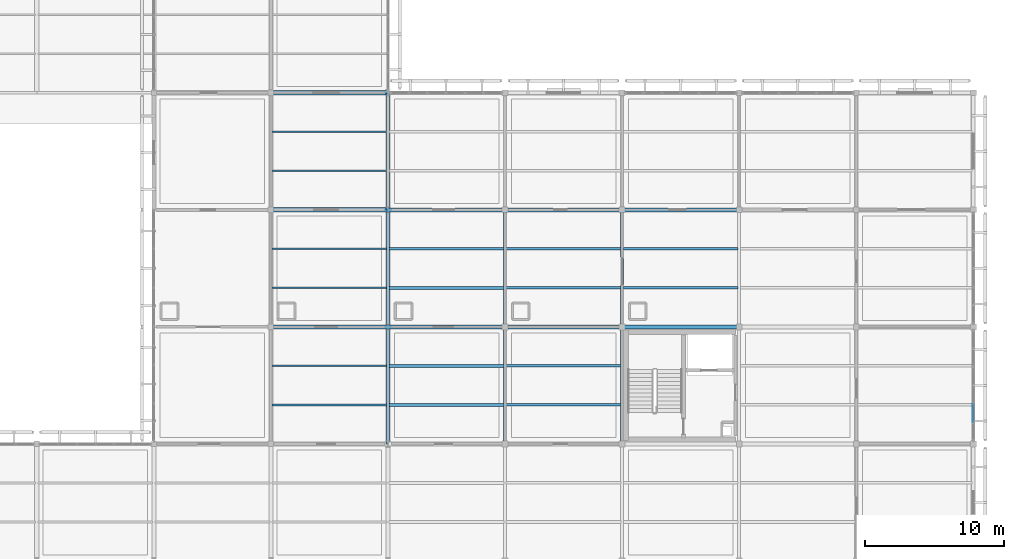
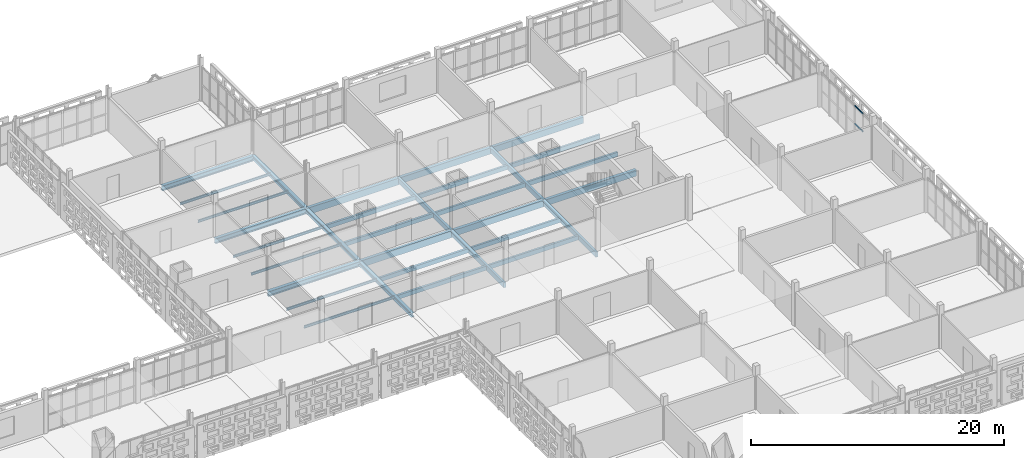
# One storey, part 71 of 166: 32 beams, 2 members, 1 element without a shape of its own.
"""IFC4 building model written with IfcOpenShell, lengths in metres."""

from ifc_helpers import new_model, si_unit, direction, frame, origin, origin_2d, place, context, subcontext, project, spatial, rectangle, i_section, extrude, material, layer, layer_set, material_profile, profile_set, type_object, element, aggregate, save


model = new_model("IFC4")

# Units and contexts
model_context = context("Model", 3, precision=1e-05, world=origin(), true_north=direction((0.0, 1.0)))
body_context = subcontext(model_context, "Body", "Model", "MODEL_VIEW")
ifc_project = project(units=[si_unit("LENGTHUNIT", "METRE"), si_unit("AREAUNIT", "SQUARE_METRE"), si_unit("VOLUMEUNIT", "CUBIC_METRE"), si_unit("PLANEANGLEUNIT", "RADIAN"), si_unit("MASSUNIT", "GRAM", prefix="KILO")], contexts=[model_context])

# Site, building, storey
site_placement = place(None, origin())
site = spatial("IfcSite", under=ifc_project, at=site_placement, CompositionType="ELEMENT")
building_placement = place(site_placement, origin())
building = spatial("IfcBuilding", under=site, at=building_placement, Name="Varnapada Polytechnic", CompositionType="ELEMENT")
storey_placement = place(building_placement, frame((0.0, 0.0, 9.60009765625)))
storey = spatial("IfcBuildingStorey", under=building, at=storey_placement, Name="L02", CompositionType="ELEMENT", Elevation=9.60009765625)

# Beams
ifc_material_1 = material(Name="Glulam GL32h", Category="wood")
ifc_material_profile_1 = material_profile(ifc_material_1, rectangle(XDim=0.280029296875, YDim=0.639892578125, at=origin_2d()), Name="GL 280x640")
ifc_profile_set_1 = profile_set([ifc_material_profile_1], Name="Glulam GL32h")
beam_type_1 = type_object("IfcBeamType", Name="Laboratory primary glulam girder GG-02 (GL 280x640)", PredefinedType="BEAM", material=ifc_profile_set_1)
for number, where, z_axis, x_axis, name in (
    (1, (134.39990234375, 100.800048828125, -0.570068359375), (1.0, 0.0, 0.0), (0.0, 1.0, 0.0), "L02 beam X 17-18 at Y13"),
    (2, (134.39990234375, 109.199951171875, -0.570068359375), (1.0, 0.0, 0.0), (0.0, 1.0, 0.0), "L02 beam X 17-18 at Y14"),
):
    element("IfcBeam", number, at=place(storey_placement, frame(where, z_axis=z_axis, x_axis=x_axis)), inside=storey, type_object=beam_type_1, Name=name, PredefinedType="BEAM", context=body_context, shape_type="SweptSolid", body=[
        extrude(rectangle(XDim=0.280029296875, YDim=0.639892578125, at=origin_2d()), origin(), (0.0, 0.0, 1.0), 8.400146484375),
    ])
ifc_material_profile_2 = material_profile(ifc_material_1, rectangle(XDim=0.199951171875, YDim=0.39990234375, at=origin_2d()), Name="GL 200x400")
ifc_profile_set_2 = profile_set([ifc_material_profile_2], Name="Glulam GL32h")
beam_type_2 = type_object("IfcBeamType", Name="Library/laboratory glulam floor joist GJ-01 (GL 200x400)", PredefinedType="JOIST", material=ifc_profile_set_2)
for number, where, z_axis, x_axis, name in (
    (3, (134.47998046875, 95.199951171875, -0.4501953125), (1.0, 0.0, 0.0), (0.0, 1.0, 0.0), "L02 floor joist 17/12.1"),
    (4, (134.47998046875, 98.0, -0.4501953125), (1.0, 0.0, 0.0), (0.0, 1.0, 0.0), "L02 floor joist 17/12.2"),
    (5, (134.47998046875, 103.60009765625, -0.4501953125), (1.0, 0.0, 0.0), (0.0, 1.0, 0.0), "L02 floor joist 17/13.1"),
    (6, (134.47998046875, 106.39990234375, -0.4501953125), (1.0, 0.0, 0.0), (0.0, 1.0, 0.0), "L02 floor joist 17/13.2"),
):
    element("IfcBeam", number, at=place(storey_placement, frame(where, z_axis=z_axis, x_axis=x_axis)), inside=storey, type_object=beam_type_2, Name=name, PredefinedType="JOIST", context=body_context, shape_type="SweptSolid", body=[
        extrude(rectangle(XDim=0.199951171875, YDim=0.39990234375, at=origin_2d()), origin(), (0.0, 0.0, 1.0), 8.239990234375),
    ])
ifc_material_profile_3 = material_profile(ifc_material_1, rectangle(XDim=0.280029296875, YDim=0.60009765625, at=origin_2d()), Name="GL 280x600")
ifc_profile_set_3 = profile_set([ifc_material_profile_3], Name="Glulam GL32h")
beam_type_3 = type_object("IfcBeamType", Name="Reading hall glulam girder GG-08 (GL 280x600)", PredefinedType="BEAM", material=ifc_profile_set_3)
for number, where, z_axis, x_axis, name in (
    (7, (142.800048828125, 100.800048828125, -0.550048828125), (1.0, 0.0, 0.0), (0.0, 1.0, 0.0), "L02 beam X 18-19 at Y13"),
    (8, (142.800048828125, 109.199951171875, -0.550048828125), (1.0, 0.0, 0.0), (0.0, 1.0, 0.0), "L02 beam X 18-19 at Y14"),
):
    element("IfcBeam", number, at=place(storey_placement, frame(where, z_axis=z_axis, x_axis=x_axis)), inside=storey, type_object=beam_type_3, Name=name, PredefinedType="BEAM", context=body_context, shape_type="SweptSolid", body=[
        extrude(rectangle(XDim=0.280029296875, YDim=0.60009765625, at=origin_2d()), origin(), (0.0, 0.0, 1.0), 8.39990234375),
    ])
for number, where, z_axis, x_axis, name in (
    (9, (151.199951171875, 100.800048828125, -0.550048828125), (1.0, 0.0, 0.0), (0.0, 1.0, 0.0), "L02 beam X 19-20 at Y13"),
    (10, (151.199951171875, 109.199951171875, -0.550048828125), (1.0, 0.0, 0.0), (0.0, 1.0, 0.0), "L02 beam X 19-20 at Y14"),
):
    element("IfcBeam", number, at=place(storey_placement, frame(where, z_axis=z_axis, x_axis=x_axis)), inside=storey, type_object=beam_type_3, Name=name, PredefinedType="BEAM", context=body_context, shape_type="SweptSolid", body=[
        extrude(rectangle(XDim=0.280029296875, YDim=0.60009765625, at=origin_2d()), origin(), (0.0, 0.0, 1.0), 8.400146484375),
    ])
ifc_material_profile_4 = material_profile(ifc_material_1, rectangle(XDim=0.179931640625, YDim=0.419921875, at=origin_2d()), Name="GL 180x420")
ifc_profile_set_4 = profile_set([ifc_material_profile_4], Name="Glulam GL32h")
beam_type_4 = type_object("IfcBeamType", Name="Reading hall glulam joist GJ-04 (GL 180x420)", PredefinedType="JOIST", material=ifc_profile_set_4)
for number, where, z_axis, x_axis, name in (
    (11, (142.8798828125, 95.199951171875, -0.460205078125), (1.0, 0.0, 0.0), (0.0, 1.0, 0.0), "L02 floor joist 18/12.1"),
    (12, (142.8798828125, 98.0, -0.460205078125), (1.0, 0.0, 0.0), (0.0, 1.0, 0.0), "L02 floor joist 18/12.2"),
    (13, (142.8798828125, 103.60009765625, -0.460205078125), (1.0, 0.0, 0.0), (0.0, 1.0, 0.0), "L02 floor joist 18/13.1"),
    (14, (142.8798828125, 106.39990234375, -0.460205078125), (1.0, 0.0, 0.0), (0.0, 1.0, 0.0), "L02 floor joist 18/13.2"),
):
    element("IfcBeam", number, at=place(storey_placement, frame(where, z_axis=z_axis, x_axis=x_axis)), inside=storey, type_object=beam_type_4, Name=name, PredefinedType="JOIST", context=body_context, shape_type="SweptSolid", body=[
        extrude(rectangle(XDim=0.179931640625, YDim=0.419921875, at=origin_2d()), origin(), (0.0, 0.0, 1.0), 8.240234375),
    ])
for number, where, z_axis, x_axis, name in (
    (15, (151.280029296875, 103.60009765625, -0.460205078125), (1.0, 0.0, 0.0), (0.0, 1.0, 0.0), "L02 floor joist 19/13.1"),
    (16, (151.280029296875, 106.39990234375, -0.460205078125), (1.0, 0.0, 0.0), (0.0, 1.0, 0.0), "L02 floor joist 19/13.2"),
):
    element("IfcBeam", number, at=place(storey_placement, frame(where, z_axis=z_axis, x_axis=x_axis)), inside=storey, type_object=beam_type_4, Name=name, PredefinedType="JOIST", context=body_context, shape_type="SweptSolid", body=[
        extrude(rectangle(XDim=0.179931640625, YDim=0.419921875, at=origin_2d()), origin(), (0.0, 0.0, 1.0), 8.239990234375),
    ])
ifc_material_2 = material(Name="Steel S355", Category="steel")
ifc_material_profile_5 = material_profile(ifc_material_2, i_section(OverallWidth=0.300048828125, OverallDepth=0.389892578125, WebThickness=0.010986328125, FlangeThickness=0.01904296875, FilletRadius=0.027099609375, at=origin_2d()), Name="HEA 400")
ifc_profile_set_5 = profile_set([ifc_material_profile_5], Name="Steel S355")
beam_type_5 = type_object("IfcBeamType", Name="Steel roof primary girder SG-01 (HEA 400)", PredefinedType="BEAM", material=ifc_profile_set_5)
beam_1_placement = place(storey_placement, frame((134.39990234375, 92.39990234375, -0.445068359375), z_axis=(0.0, 1.0, 0.0), x_axis=(-1.0, 0.0, 0.0)))
element("IfcBeam", 17, at=beam_1_placement, inside=storey, type_object=beam_type_5, Name="L02 beam Y 12-13 at X17", PredefinedType="BEAM", context=body_context, shape_type="SweptSolid", body=[
    extrude(i_section(OverallWidth=0.300048828125, OverallDepth=0.389892578125, WebThickness=0.010986328125, FlangeThickness=0.01904296875, FilletRadius=0.027099609375, at=origin_2d()), origin(), (0.0, 0.0, 1.0), 8.400146484375),
])
beam_2_placement = place(storey_placement, frame((134.39990234375, 100.800048828125, -0.445068359375), z_axis=(0.0, 1.0, 0.0), x_axis=(-1.0, 0.0, 0.0)))
element("IfcBeam", 18, at=beam_2_placement, inside=storey, type_object=beam_type_5, Name="L02 beam Y 13-14 at X17", PredefinedType="BEAM", context=body_context, shape_type="SweptSolid", body=[
    extrude(i_section(OverallWidth=0.300048828125, OverallDepth=0.389892578125, WebThickness=0.010986328125, FlangeThickness=0.01904296875, FilletRadius=0.027099609375, at=origin_2d()), origin(), (0.0, 0.0, 1.0), 8.39990234375),
])
beam_3_placement = place(storey_placement, frame((134.39990234375, 109.199951171875, -0.445068359375), z_axis=(0.0, 1.0, 0.0), x_axis=(-1.0, 0.0, 0.0)))
element("IfcBeam", 19, at=beam_3_placement, inside=storey, type_object=beam_type_5, Name="L02 beam Y 14-15 at X17", PredefinedType="BEAM", context=body_context, shape_type="SweptSolid", body=[
    extrude(i_section(OverallWidth=0.300048828125, OverallDepth=0.389892578125, WebThickness=0.010986328125, FlangeThickness=0.01904296875, FilletRadius=0.027099609375, at=origin_2d()), origin(), (0.0, 0.0, 1.0), 8.400146484375),
])

# Curtain wall, members
ifc_material_3 = material(Name="Double low-E laminated glass", Category="glass")
ifc_layer = layer(ifc_material_3, 0.179931640625)
ifc_layer_set = layer_set([ifc_layer], Name="Double low-E laminated glass")
curtain_wall_type = type_object("IfcCurtainWallType", Name="Curtain Wall CW-04", PredefinedType="NOTDEFINED", material=ifc_layer_set)
curtain_wall_placement = place(storey_placement, origin())
curtain_wall = element("IfcCurtainWall", 20, at=curtain_wall_placement, inside=storey, type_object=curtain_wall_type, Name="L02 unitised curtain wall CW-04 (203)", PredefinedType="NOTDEFINED")
ifc_material_4 = material(Name="Anodised aluminium", Category="aluminium")
ifc_material_profile_6 = material_profile(ifc_material_4, rectangle(XDim=0.06494140625, YDim=0.139892578125, at=origin_2d()), Name="ALU T65x140")
ifc_profile_set_6 = profile_set([ifc_material_profile_6], Name="Anodised aluminium")
member_type = type_object("IfcMemberType", Name="Transom T-02", PredefinedType="USERDEFINED", material=ifc_profile_set_6)
member_1_placement = place(storey_placement, frame((176.39990234375, 95.237548828125, 1.61279296875), z_axis=(0.0, -1.0, 0.0), x_axis=(1.0, 0.0, 0.0)))
member_1 = element("IfcMember", 21, at=member_1_placement, type_object=member_type, Name="CW-04 transom 5.2", ObjectType="TRANSOM", PredefinedType="USERDEFINED", context=body_context, shape_type="SweptSolid", body=[
    extrude(rectangle(XDim=0.06494140625, YDim=0.139892578125, at=origin_2d()), origin(), (0.0, 0.0, 1.0), 1.26513671875),
])
member_2_placement = place(storey_placement, frame((176.39990234375, 95.237548828125, 3.327392578125), z_axis=(0.0, -1.0, 0.0), x_axis=(1.0, 0.0, 0.0)))
member_2 = element("IfcMember", 22, at=member_2_placement, type_object=member_type, Name="CW-04 transom 5.3", ObjectType="TRANSOM", PredefinedType="USERDEFINED", context=body_context, shape_type="SweptSolid", body=[
    extrude(rectangle(XDim=0.06494140625, YDim=0.139892578125, at=origin_2d()), origin(), (0.0, 0.0, 1.0), 1.26513671875),
])
aggregate(curtain_wall, [member_1, member_2])

# Beams
ifc_material_profile_7 = material_profile(ifc_material_1, rectangle(XDim=0.219970703125, YDim=0.47998046875, at=origin_2d()), Name="GL 220x480")
ifc_profile_set_7 = profile_set([ifc_material_profile_7], Name="Glulam GL32h")
beam_type_6 = type_object("IfcBeamType", Name="Upper floor glulam tie beam GB-11 (GL 220x480)", PredefinedType="BEAM", material=ifc_profile_set_7)
beam_4_placement = place(storey_placement, frame((142.800048828125, 92.39990234375, -0.489990234375), z_axis=(0.0, 1.0, 0.0), x_axis=(-1.0, 0.0, 0.0)))
element("IfcBeam", 23, at=beam_4_placement, inside=storey, type_object=beam_type_6, Name="L02 beam Y 12-13 at X18", PredefinedType="BEAM", context=body_context, shape_type="SweptSolid", body=[
    extrude(rectangle(XDim=0.219970703125, YDim=0.47998046875, at=origin_2d()), origin(), (0.0, 0.0, 1.0), 8.400146484375),
])
beam_5_placement = place(storey_placement, frame((142.800048828125, 100.800048828125, -0.489990234375), z_axis=(0.0, 1.0, 0.0), x_axis=(-1.0, 0.0, 0.0)))
element("IfcBeam", 24, at=beam_5_placement, inside=storey, type_object=beam_type_6, Name="L02 beam Y 13-14 at X18", PredefinedType="BEAM", context=body_context, shape_type="SweptSolid", body=[
    extrude(rectangle(XDim=0.219970703125, YDim=0.47998046875, at=origin_2d()), origin(), (0.0, 0.0, 1.0), 8.39990234375),
])
beam_6_placement = place(storey_placement, frame((151.199951171875, 92.39990234375, -0.489990234375), z_axis=(0.0, 1.0, 0.0), x_axis=(-1.0, 0.0, 0.0)))
element("IfcBeam", 25, at=beam_6_placement, inside=storey, type_object=beam_type_6, Name="L02 beam Y 12-13 at X19", PredefinedType="BEAM", context=body_context, shape_type="SweptSolid", body=[
    extrude(rectangle(XDim=0.219970703125, YDim=0.47998046875, at=origin_2d()), origin(), (0.0, 0.0, 1.0), 8.400146484375),
])
beam_7_placement = place(storey_placement, frame((151.199951171875, 100.800048828125, -0.489990234375), z_axis=(0.0, 1.0, 0.0), x_axis=(-1.0, 0.0, 0.0)))
element("IfcBeam", 26, at=beam_7_placement, inside=storey, type_object=beam_type_6, Name="L02 beam Y 13-14 at X19", PredefinedType="BEAM", context=body_context, shape_type="SweptSolid", body=[
    extrude(rectangle(XDim=0.219970703125, YDim=0.47998046875, at=origin_2d()), origin(), (0.0, 0.0, 1.0), 8.39990234375),
])
ifc_material_profile_8 = material_profile(ifc_material_2, i_section(OverallWidth=0.1201171875, OverallDepth=0.239990234375, WebThickness=0.006103515625, FlangeThickness=0.009765625, FilletRadius=0.014892578125, at=origin_2d()), Name="IPE 240")
ifc_profile_set_8 = profile_set([ifc_material_profile_8], Name="Steel S355")
beam_type_7 = type_object("IfcBeamType", Name="Workshop gallery composite joist SJ-01 (IPE 240)", PredefinedType="JOIST", material=ifc_profile_set_8)
for number, where, z_axis, x_axis, name in (
    (27, (126.080078125, 95.199951171875, -0.3701171875), (1.0, 0.0, 0.0), (0.0, 1.0, 0.0), "L02 floor joist 16/12.1"),
    (28, (126.080078125, 98.0, -0.3701171875), (1.0, 0.0, 0.0), (0.0, 1.0, 0.0), "L02 floor joist 16/12.2"),
    (29, (126.080078125, 103.60009765625, -0.3701171875), (1.0, 0.0, 0.0), (0.0, 1.0, 0.0), "L02 floor joist 16/13.1"),
    (30, (126.080078125, 106.39990234375, -0.3701171875), (1.0, 0.0, 0.0), (0.0, 1.0, 0.0), "L02 floor joist 16/13.2"),
    (31, (126.080078125, 112.0, -0.3701171875), (1.0, 0.0, 0.0), (0.0, 1.0, 0.0), "L02 floor joist 16/14.1"),
    (32, (126.080078125, 114.800048828125, -0.3701171875), (1.0, 0.0, 0.0), (0.0, 1.0, 0.0), "L02 floor joist 16/14.2"),
):
    element("IfcBeam", number, at=place(storey_placement, frame(where, z_axis=z_axis, x_axis=x_axis)), inside=storey, type_object=beam_type_7, Name=name, PredefinedType="JOIST", context=body_context, shape_type="SweptSolid", body=[
        extrude(i_section(OverallWidth=0.1201171875, OverallDepth=0.239990234375, WebThickness=0.006103515625, FlangeThickness=0.009765625, FilletRadius=0.014892578125, at=origin_2d()), origin(), (0.0, 0.0, 1.0), 8.239990234375),
    ])
ifc_material_profile_9 = material_profile(ifc_material_2, i_section(OverallWidth=0.300048828125, OverallDepth=0.489990234375, WebThickness=0.011962890625, FlangeThickness=0.02294921875, FilletRadius=0.027099609375, at=origin_2d()), Name="HEA 500")
ifc_profile_set_9 = profile_set([ifc_material_profile_9], Name="Steel S355")
beam_type_8 = type_object("IfcBeamType", Name="Workshop gallery edge girder CR-02 (HEA 500)", PredefinedType="BEAM", material=ifc_profile_set_9)
for number, where, z_axis, x_axis, name in (
    (33, (126.0, 100.800048828125, -0.4951171875), (1.0, 0.0, 0.0), (0.0, 1.0, 0.0), "L02 beam X 16-17 at Y13"),
    (34, (126.0, 109.199951171875, -0.4951171875), (1.0, 0.0, 0.0), (0.0, 1.0, 0.0), "L02 beam X 16-17 at Y14"),
    (35, (126.0, 117.60009765625, -0.4951171875), (1.0, 0.0, 0.0), (0.0, 1.0, 0.0), "L02 beam X 16-17 at Y15"),
):
    element("IfcBeam", number, at=place(storey_placement, frame(where, z_axis=z_axis, x_axis=x_axis)), inside=storey, type_object=beam_type_8, Name=name, PredefinedType="BEAM", context=body_context, shape_type="SweptSolid", body=[
        extrude(i_section(OverallWidth=0.300048828125, OverallDepth=0.489990234375, WebThickness=0.011962890625, FlangeThickness=0.02294921875, FilletRadius=0.027099609375, at=origin_2d()), origin(), (0.0, 0.0, 1.0), 8.39990234375),
    ])

save(model, "model.ifc")
